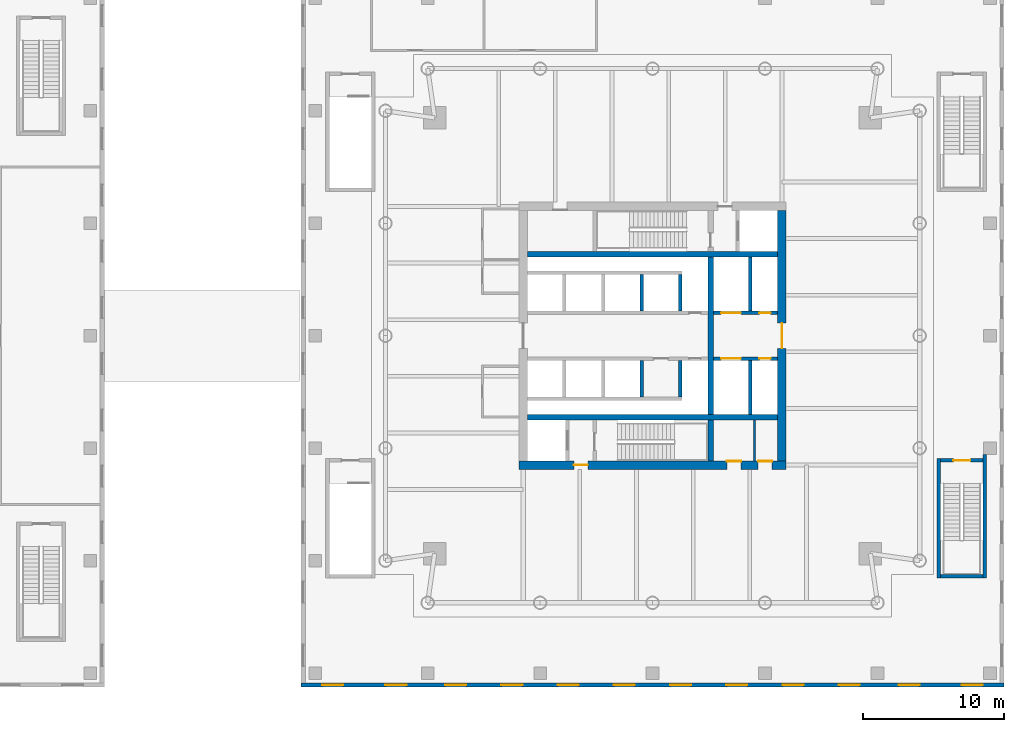
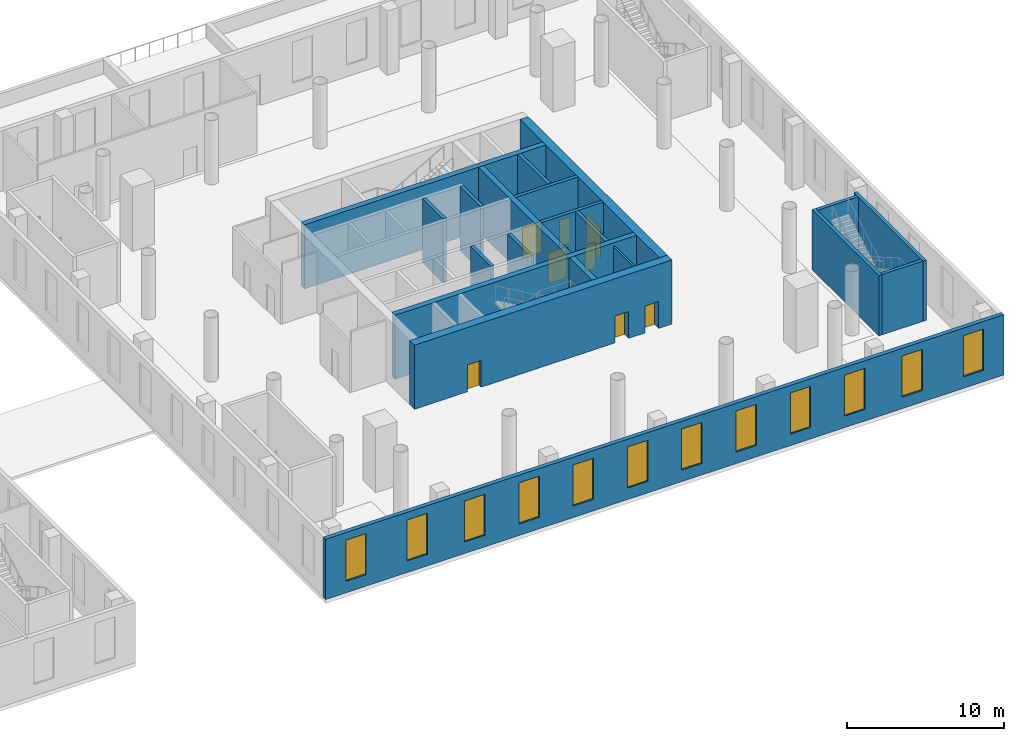
# One storey, part 11 of 16: 20 walls, 12 windows, 9 doors, 21 openings.
"""IFC4 building model written with IfcOpenShell, lengths in metres."""

from ifc_helpers import new_model, si_unit, direction, frame, frame_2d, origin, place, context, subcontext, project, spatial, rectangle, extrude, material, layer, layer_set, type_object, element, fill, save


model = new_model("IFC4")

# Units and contexts
model_context = context("Model", 3, precision=1e-05, world=origin(), true_north=direction((0.0, 1.0)))
body_context = subcontext(model_context, "Body", "Model", "MODEL_VIEW")
ifc_project = project(units=[si_unit("LENGTHUNIT", "METRE"), si_unit("AREAUNIT", "SQUARE_METRE"), si_unit("VOLUMEUNIT", "CUBIC_METRE"), si_unit("PLANEANGLEUNIT", "RADIAN"), si_unit("MASSUNIT", "GRAM", prefix="KILO")], contexts=[model_context])

# Site, building, storey
site_placement = place(None, origin())
site = spatial("IfcSite", under=ifc_project, at=site_placement, CompositionType="ELEMENT")
building_placement = place(site_placement, origin())
building = spatial("IfcBuilding", under=site, at=building_placement, Name="Ostroluk Exchange", CompositionType="ELEMENT")
storey_placement = place(building_placement, frame((0.0, 0.0, 16.0)))
storey = spatial("IfcBuildingStorey", under=building, at=storey_placement, Name="L03", CompositionType="ELEMENT", Elevation=16.0)

# Walls
ifc_material_1 = material(Name="Concrete blockwork", Category="masonry")
ifc_layer_1 = layer(ifc_material_1, 0.14990234375)
ifc_layer_set_1 = layer_set([ifc_layer_1], Name="Blockwork plant room wall 150")
wall_type_1 = type_object("IfcWallType", Name="Blockwork plant room wall 150", PredefinedType="SOLIDWALL", material=ifc_layer_set_1)
wall_1_placement = place(storey_placement, frame((124.2548828125, 37.10009765625, 0.0), z_axis=(0.0, 0.0, 1.0), x_axis=(0.0, 1.0, 0.0)))
element("IfcWall", 1, at=wall_1_placement, inside=storey, type_object=wall_type_1, Name="Core room wall", PredefinedType="SOLIDWALL", context=body_context, shape_type="SweptSolid", body=[
    extrude(rectangle(XDim=2.89990234375, YDim=0.14990234375, at=frame_2d((1.449951171875, 0.0))), origin(), (0.0, 0.0, 1.0), 4.699951171875),
])
ifc_material_2 = material(Name="Concrete blockwork", Category="masonry")
ifc_layer_2 = layer(ifc_material_2, 0.25)
ifc_layer_set_2 = layer_set([ifc_layer_2], Name="Blockwork stair enclosure wall 250")
wall_type_2 = type_object("IfcWallType", Name="Blockwork stair enclosure wall 250", PredefinedType="SOLIDWALL", material=ifc_layer_set_2)
wall_2_placement = place(storey_placement, frame((137.375, 28.75, 0.0), z_axis=(0.0, 0.0, 1.0), x_axis=(0.0, 1.0, 0.0)))
element("IfcWall", 2, at=wall_2_placement, inside=storey, type_object=wall_type_2, Name="Stair PS7 enclosure wall", PredefinedType="SOLIDWALL", context=body_context, shape_type="SweptSolid", body=[
    extrude(rectangle(XDim=8.5, YDim=0.25, at=frame_2d((4.25, 0.0))), origin(), (0.0, 0.0, 1.0), 4.699951171875),
])
wall_3_placement = place(storey_placement, frame((140.625, 28.75, 0.0), z_axis=(0.0, 0.0, 1.0), x_axis=(0.0, 1.0, 0.0)))
element("IfcWall", 3, at=wall_3_placement, inside=storey, type_object=wall_type_2, Name="Stair PS7 enclosure wall", PredefinedType="SOLIDWALL", context=body_context, shape_type="SweptSolid", body=[
    extrude(rectangle(XDim=8.800048828125, YDim=0.25, at=frame_2d((4.39990234375, 0.0))), origin(), (0.0, 0.0, 1.0), 4.699951171875),
])
wall_4_placement = place(storey_placement, frame((137.5, 28.875, 0.0), z_axis=(0.0, 0.0, 1.0), x_axis=(1.0, 0.0, 0.0)))
element("IfcWall", 4, at=wall_4_placement, inside=storey, type_object=wall_type_2, Name="Stair PS7 enclosure wall", PredefinedType="SOLIDWALL", context=body_context, shape_type="SweptSolid", body=[
    extrude(rectangle(XDim=3.0, YDim=0.25, at=frame_2d((1.5, 0.0))), origin(), (0.0, 0.0, 1.0), 4.699951171875),
])

# Wall, opening, door
wall_5_placement = place(storey_placement, frame((137.5, 37.125, 0.0), z_axis=(0.0, 0.0, 1.0), x_axis=(1.0, 0.0, 0.0)))
wall_5 = element("IfcWall", 5, at=wall_5_placement, inside=storey, type_object=wall_type_2, Name="Stair PS7 enclosure wall", PredefinedType="SOLIDWALL", context=body_context, shape_type="SweptSolid", body=[
    extrude(rectangle(XDim=3.0, YDim=0.25, at=frame_2d((1.5, 0.0))), origin(), (0.0, 0.0, 1.0), 4.699951171875),
])
opening_1_placement = place(wall_5_placement, frame((0.89990234375, 0.0, 0.0)))
opening_1 = element("IfcOpeningElement", 6, at=opening_1_placement, cuts=wall_5, Name="Opening FD60S", PredefinedType="OPENING", context=body_context, shape_type="SweptSolid", body=[
    extrude(rectangle(XDim=1.199951171875, YDim=2.10009765625, at=frame_2d((0.60009765625, 1.050048828125))), frame((0.0, 0.135009765625, 0.0), z_axis=(0.0, -1.0, 0.0), x_axis=(1.0, 0.0, 0.0)), (0.0, 0.0, 1.0), 0.27001953125),
])
ifc_material_3 = material(Name="Steel", Category="steel")
door_type_1 = type_object("IfcDoorType", Name="Stair door EI 60 1200 x 2100", OperationType="SINGLE_SWING_LEFT", PredefinedType="DOOR", material=ifc_material_3)
door_1_placement = place(opening_1_placement, origin())
door_1 = element("IfcDoor", 7, at=door_1_placement, inside=storey, type_object=door_type_1, Name="Stair PS7 door", OperationType="SINGLE_SWING_LEFT", OverallHeight=2.10009765625, OverallWidth=1.199951171875, PredefinedType="DOOR", context=body_context, shape_type="SweptSolid", body=[
    extrude(rectangle(XDim=1.199951171875, YDim=2.10009765625, at=frame_2d((0.60009765625, 1.050048828125))), frame((0.0, 0.02490234375, 0.0), z_axis=(0.0, -1.0, 0.0), x_axis=(1.0, 0.0, 0.0)), (0.0, 0.0, 1.0), 0.050048828125),
])
fill(opening_1, door_1)

# Walls
ifc_material_4 = material(Name="Concrete C50/60", Category="concrete")
ifc_layer_3 = layer(ifc_material_4, 0.39990234375)
ifc_layer_set_3 = layer_set([ifc_layer_3], Name="Core cross wall 400 C50/60")
wall_type_3 = type_object("IfcWallType", Name="Core cross wall 400 C50/60", PredefinedType="SHEAR", material=ifc_layer_set_3)
for number, where, z_axis, x_axis, name in (
    (8, (108.10009765625, 40.199951171875, 0.0), (0.0, 0.0, 1.0), (1.0, 0.0, 0.0), "T2 core wall XS"),
    (9, (108.10009765625, 51.800048828125, 0.0), (0.0, 0.0, 1.0), (1.0, 0.0, 0.0), "T2 core wall XN"),
):
    element("IfcWall", number, at=place(storey_placement, frame(where, z_axis=z_axis, x_axis=x_axis)), inside=storey, type_object=wall_type_3, Name=name, PredefinedType="SHEAR", context=body_context, shape_type="SweptSolid", body=[
        extrude(rectangle(XDim=17.7998046875, YDim=0.39990234375, at=frame_2d((8.89990234375, 0.0))), origin(), (0.0, 0.0, 1.0), 5.0),
    ])
wall_6_placement = place(storey_placement, frame((121.1298828125, 37.10009765625, 0.0), z_axis=(0.0, 0.0, 1.0), x_axis=(0.0, 1.0, 0.0)))
element("IfcWall", 10, at=wall_6_placement, inside=storey, type_object=wall_type_3, Name="T2 core wall YE1", PredefinedType="SHEAR", context=body_context, shape_type="SweptSolid", body=[
    extrude(rectangle(XDim=2.89990234375, YDim=0.39990234375, at=frame_2d((1.449951171875, 0.0))), origin(), (0.0, 0.0, 1.0), 5.0),
])
wall_7_placement = place(storey_placement, frame((121.1298828125, 40.39990234375, 0.0), z_axis=(0.0, 0.0, 1.0), x_axis=(0.0, 1.0, 0.0)))
element("IfcWall", 11, at=wall_7_placement, inside=storey, type_object=wall_type_3, Name="T2 core wall YE2", PredefinedType="SHEAR", context=body_context, shape_type="SweptSolid", body=[
    extrude(rectangle(XDim=11.2001953125, YDim=0.39990234375, at=frame_2d((5.60009765625, 0.0))), origin(), (0.0, 0.0, 1.0), 5.0),
])
ifc_material_5 = material(Name="Concrete C40/50", Category="concrete")
ifc_layer_4 = layer(ifc_material_5, 0.25)
ifc_layer_set_4 = layer_set([ifc_layer_4], Name="Core shaft wall 250")
wall_type_4 = type_object("IfcWallType", Name="Core shaft wall 250", PredefinedType="SHEAR", material=ifc_layer_set_4)
for number, where, z_axis, x_axis, name in (
    (12, (116.22509765625, 47.75, 0.0), (0.0, 0.0, 1.0), (0.0, 1.0, 0.0), "Lift shaft wall"),
    (13, (118.97509765625, 47.75, 0.0), (0.0, 0.0, 1.0), (0.0, 1.0, 0.0), "Lift shaft wall"),
    (14, (116.22509765625, 44.25, 0.0), (0.0, 0.0, 1.0), (0.0, -1.0, 0.0), "Lift shaft wall"),
    (15, (118.97509765625, 44.25, 0.0), (0.0, 0.0, 1.0), (0.0, -1.0, 0.0), "Lift shaft wall"),
):
    element("IfcWall", number, at=place(storey_placement, frame(where, z_axis=z_axis, x_axis=x_axis)), inside=storey, type_object=wall_type_4, Name=name, PredefinedType="SHEAR", context=body_context, shape_type="SweptSolid", body=[
        extrude(rectangle(XDim=2.60009765625, YDim=0.25, at=frame_2d((1.300048828125, 0.0))), origin(), (0.0, 0.0, 1.0), 5.0),
    ])
wall_8_placement = place(storey_placement, frame((123.955078125, 47.75, 0.0), z_axis=(0.0, 0.0, 1.0), x_axis=(0.0, 1.0, 0.0)))
element("IfcWall", 16, at=wall_8_placement, inside=storey, type_object=wall_type_4, Name="Lift shaft wall", PredefinedType="SHEAR", context=body_context, shape_type="SweptSolid", body=[
    extrude(rectangle(XDim=3.85009765625, YDim=0.25, at=frame_2d((1.925048828125, 0.0))), origin(), (0.0, 0.0, 1.0), 5.0),
])

# Wall, openings, doors
wall_9_placement = place(storey_placement, frame((121.330078125, 47.625, 0.0), z_axis=(0.0, 0.0, 1.0), x_axis=(1.0, 0.0, 0.0)))
wall_9 = element("IfcWall", 17, at=wall_9_placement, inside=storey, type_object=wall_type_4, Name="Lift shaft front wall", PredefinedType="SHEAR", context=body_context, shape_type="SweptSolid", body=[
    extrude(rectangle(XDim=4.56982421875, YDim=0.25, at=frame_2d((2.284912109375, 0.0))), origin(), (0.0, 0.0, 1.0), 5.0),
])
opening_2_placement = place(wall_9_placement, frame((0.550048828125, 0.0, 0.0)))
opening_2 = element("IfcOpeningElement", 18, at=opening_2_placement, cuts=wall_9, Name="Opening LD3", PredefinedType="OPENING", context=body_context, shape_type="SweptSolid", body=[
    extrude(rectangle(XDim=1.39990234375, YDim=2.39990234375, at=frame_2d((0.699951171875, 1.199951171875))), frame((0.0, 0.135009765625, 0.0), z_axis=(0.0, -1.0, 0.0), x_axis=(1.0, 0.0, 0.0)), (0.0, 0.0, 1.0), 0.27001953125),
])
opening_3_placement = place(wall_9_placement, frame((3.260009765625, 0.0, 0.0)))
opening_3 = element("IfcOpeningElement", 19, at=opening_3_placement, cuts=wall_9, Name="Opening RD60", PredefinedType="OPENING", context=body_context, shape_type="SweptSolid", body=[
    extrude(rectangle(XDim=0.800048828125, YDim=2.0, at=frame_2d((0.39990234375, 1.0))), frame((0.0, 0.135009765625, 0.0), z_axis=(0.0, -1.0, 0.0), x_axis=(1.0, 0.0, 0.0)), (0.0, 0.0, 1.0), 0.27001953125),
])
ifc_material_6 = material(Name="Stainless steel", Category="steel")
door_type_2 = type_object("IfcDoorType", Name="Goods lift landing door E 60 1400 x 2400", OperationType="DOUBLE_DOOR_SLIDING", PredefinedType="DOOR", material=ifc_material_6)
door_2_placement = place(opening_2_placement, origin())
door_2 = element("IfcDoor", 20, at=door_2_placement, inside=storey, type_object=door_type_2, Name="Lift HS1 landing door", OperationType="DOUBLE_DOOR_SLIDING", OverallHeight=2.39990234375, OverallWidth=1.39990234375, PredefinedType="DOOR", context=body_context, shape_type="SweptSolid", body=[
    extrude(rectangle(XDim=1.39990234375, YDim=2.39990234375, at=frame_2d((0.699951171875, 1.199951171875))), frame((0.0, 0.02490234375, 0.0), z_axis=(0.0, -1.0, 0.0), x_axis=(1.0, 0.0, 0.0)), (0.0, 0.0, 1.0), 0.050048828125),
])
fill(opening_2, door_2)
ifc_material_7 = material(Name="Steel", Category="steel")
door_type_3 = type_object("IfcDoorType", Name="Riser access door EI 60 800 x 2000", OperationType="SINGLE_SWING_LEFT", PredefinedType="DOOR", material=ifc_material_7)
door_3_placement = place(opening_3_placement, origin())
door_3 = element("IfcDoor", 21, at=door_3_placement, inside=storey, type_object=door_type_3, Name="Riser access door", OperationType="SINGLE_SWING_RIGHT", OverallHeight=2.0, OverallWidth=0.800048828125, PredefinedType="DOOR", context=body_context, shape_type="SweptSolid", body=[
    extrude(rectangle(XDim=0.800048828125, YDim=2.0, at=frame_2d((0.39990234375, 1.0))), frame((0.0, 0.02490234375, 0.0), z_axis=(0.0, -1.0, 0.0), x_axis=(1.0, 0.0, 0.0)), (0.0, 0.0, 1.0), 0.050048828125),
])
fill(opening_3, door_3)

# Wall
wall_10_placement = place(storey_placement, frame((123.955078125, 44.25, 0.0), z_axis=(0.0, 0.0, 1.0), x_axis=(0.0, -1.0, 0.0)))
element("IfcWall", 22, at=wall_10_placement, inside=storey, type_object=wall_type_4, Name="Lift shaft wall", PredefinedType="SHEAR", context=body_context, shape_type="SweptSolid", body=[
    extrude(rectangle(XDim=3.85009765625, YDim=0.25, at=frame_2d((1.925048828125, 0.0))), origin(), (0.0, 0.0, 1.0), 5.0),
])

# Wall, openings, doors
wall_11_placement = place(storey_placement, frame((121.330078125, 44.375, 0.0), z_axis=(0.0, 0.0, 1.0), x_axis=(1.0, 0.0, 0.0)))
wall_11 = element("IfcWall", 23, at=wall_11_placement, inside=storey, type_object=wall_type_4, Name="Lift shaft front wall", PredefinedType="SHEAR", context=body_context, shape_type="SweptSolid", body=[
    extrude(rectangle(XDim=4.56982421875, YDim=0.25, at=frame_2d((2.284912109375, 0.0))), origin(), (0.0, 0.0, 1.0), 5.0),
])
opening_4_placement = place(wall_11_placement, frame((0.550048828125, 0.0, 0.0)))
opening_4 = element("IfcOpeningElement", 24, at=opening_4_placement, cuts=wall_11, Name="Opening LD3", PredefinedType="OPENING", context=body_context, shape_type="SweptSolid", body=[
    extrude(rectangle(XDim=1.39990234375, YDim=2.39990234375, at=frame_2d((0.699951171875, 1.199951171875))), frame((0.0, 0.135009765625, 0.0), z_axis=(0.0, -1.0, 0.0), x_axis=(1.0, 0.0, 0.0)), (0.0, 0.0, 1.0), 0.27001953125),
])
opening_5_placement = place(wall_11_placement, frame((3.260009765625, 0.0, 0.0)))
opening_5 = element("IfcOpeningElement", 25, at=opening_5_placement, cuts=wall_11, Name="Opening RD60", PredefinedType="OPENING", context=body_context, shape_type="SweptSolid", body=[
    extrude(rectangle(XDim=0.800048828125, YDim=2.0, at=frame_2d((0.39990234375, 1.0))), frame((0.0, 0.135009765625, 0.0), z_axis=(0.0, -1.0, 0.0), x_axis=(1.0, 0.0, 0.0)), (0.0, 0.0, 1.0), 0.27001953125),
])
door_4_placement = place(opening_4_placement, origin())
door_4 = element("IfcDoor", 26, at=door_4_placement, inside=storey, type_object=door_type_2, Name="Lift HS2 landing door", OperationType="DOUBLE_DOOR_SLIDING", OverallHeight=2.39990234375, OverallWidth=1.39990234375, PredefinedType="DOOR", context=body_context, shape_type="SweptSolid", body=[
    extrude(rectangle(XDim=1.39990234375, YDim=2.39990234375, at=frame_2d((0.699951171875, 1.199951171875))), frame((0.0, 0.02490234375, 0.0), z_axis=(0.0, -1.0, 0.0), x_axis=(1.0, 0.0, 0.0)), (0.0, 0.0, 1.0), 0.050048828125),
])
fill(opening_4, door_4)
door_5_placement = place(opening_5_placement, origin())
door_5 = element("IfcDoor", 27, at=door_5_placement, inside=storey, type_object=door_type_3, Name="Riser access door", OperationType="SINGLE_SWING_RIGHT", OverallHeight=2.0, OverallWidth=0.800048828125, PredefinedType="DOOR", context=body_context, shape_type="SweptSolid", body=[
    extrude(rectangle(XDim=0.800048828125, YDim=2.0, at=frame_2d((0.39990234375, 1.0))), frame((0.0, 0.02490234375, 0.0), z_axis=(0.0, -1.0, 0.0), x_axis=(1.0, 0.0, 0.0)), (0.0, 0.0, 1.0), 0.050048828125),
])
fill(opening_5, door_5)

ifc_material_8 = material(Name="Concrete C50/60", Category="concrete")
ifc_layer_5 = layer(ifc_material_8, 0.60009765625)
ifc_layer_set_5 = layer_set([ifc_layer_5], Name="Core wall 600 C50/60")
wall_type_5 = type_object("IfcWallType", Name="Core wall 600 C50/60", PredefinedType="SHEAR", material=ifc_layer_set_5)
wall_12_placement = place(storey_placement, frame((107.5, 36.800048828125, 0.0), z_axis=(0.0, 0.0, 1.0), x_axis=(1.0, 0.0, 0.0)))
wall_12 = element("IfcWall", 28, at=wall_12_placement, inside=storey, type_object=wall_type_5, Name="T2 core wall S", PredefinedType="SHEAR", context=body_context, shape_type="SweptSolid", body=[
    extrude(rectangle(XDim=19.0, YDim=0.60009765625, at=frame_2d((9.5, 0.0))), origin(), (0.0, 0.0, 1.0), 5.0),
])
opening_6_placement = place(wall_12_placement, frame((3.89990234375, 0.0, 0.0)))
opening_6 = element("IfcOpeningElement", 29, at=opening_6_placement, cuts=wall_12, Name="Opening FD60", PredefinedType="OPENING", context=body_context, shape_type="SweptSolid", body=[
    extrude(rectangle(XDim=1.0, YDim=2.10009765625, at=frame_2d((0.5, 1.050048828125))), frame((0.0, 0.31005859375, 0.0), z_axis=(0.0, -1.0, 0.0), x_axis=(1.0, 0.0, 0.0)), (0.0, 0.0, 1.0), 0.6201171875),
])
opening_7_placement = place(wall_12_placement, frame((14.79248046875, 0.0, 0.0)))
opening_7 = element("IfcOpeningElement", 30, at=opening_7_placement, cuts=wall_12, Name="Opening FD60", PredefinedType="OPENING", context=body_context, shape_type="SweptSolid", body=[
    extrude(rectangle(XDim=1.0, YDim=2.10009765625, at=frame_2d((0.5, 1.050048828125))), frame((0.0, 0.31005859375, 0.0), z_axis=(0.0, -1.0, 0.0), x_axis=(1.0, 0.0, 0.0)), (0.0, 0.0, 1.0), 0.6201171875),
])
opening_8_placement = place(wall_12_placement, frame((17.0048828125, 0.0, 0.0)))
opening_8 = element("IfcOpeningElement", 31, at=opening_8_placement, cuts=wall_12, Name="Opening FD60", PredefinedType="OPENING", context=body_context, shape_type="SweptSolid", body=[
    extrude(rectangle(XDim=1.0, YDim=2.10009765625, at=frame_2d((0.5, 1.050048828125))), frame((0.0, 0.31005859375, 0.0), z_axis=(0.0, -1.0, 0.0), x_axis=(1.0, 0.0, 0.0)), (0.0, 0.0, 1.0), 0.6201171875),
])
ifc_material_9 = material(Name="Steel", Category="steel")
door_type_4 = type_object("IfcDoorType", Name="Fire door EI 60 1000 x 2100", OperationType="SINGLE_SWING_LEFT", PredefinedType="DOOR", material=ifc_material_9)
door_6_placement = place(opening_6_placement, origin())
door_6 = element("IfcDoor", 32, at=door_6_placement, inside=storey, type_object=door_type_4, Name="Firefighting lobby door", OperationType="SINGLE_SWING_LEFT", OverallHeight=2.10009765625, OverallWidth=1.0, PredefinedType="DOOR", context=body_context, shape_type="SweptSolid", body=[
    extrude(rectangle(XDim=1.0, YDim=2.10009765625, at=frame_2d((0.5, 1.050048828125))), frame((0.0, 0.02490234375, 0.0), z_axis=(0.0, -1.0, 0.0), x_axis=(1.0, 0.0, 0.0)), (0.0, 0.0, 1.0), 0.050048828125),
])
fill(opening_6, door_6)
door_7_placement = place(opening_7_placement, origin())
door_7 = element("IfcDoor", 33, at=door_7_placement, inside=storey, type_object=door_type_4, Name="Store door", OperationType="SINGLE_SWING_RIGHT", OverallHeight=2.10009765625, OverallWidth=1.0, PredefinedType="DOOR", context=body_context, shape_type="SweptSolid", body=[
    extrude(rectangle(XDim=1.0, YDim=2.10009765625, at=frame_2d((0.5, 1.050048828125))), frame((0.0, 0.2900390625, 0.0), z_axis=(0.0, -1.0, 0.0), x_axis=(1.0, 0.0, 0.0)), (0.0, 0.0, 1.0), 0.050048828125),
])
fill(opening_7, door_7)
door_8_placement = place(opening_8_placement, origin())
door_8 = element("IfcDoor", 34, at=door_8_placement, inside=storey, type_object=door_type_4, Name="Cleaner's store door", OperationType="SINGLE_SWING_RIGHT", OverallHeight=2.10009765625, OverallWidth=1.0, PredefinedType="DOOR", context=body_context, shape_type="SweptSolid", body=[
    extrude(rectangle(XDim=1.0, YDim=2.10009765625, at=frame_2d((0.5, 1.050048828125))), frame((0.0, 0.2900390625, 0.0), z_axis=(0.0, -1.0, 0.0), x_axis=(1.0, 0.0, 0.0)), (0.0, 0.0, 1.0), 0.050048828125),
])
fill(opening_8, door_8)

# Wall, opening, door
wall_13_placement = place(storey_placement, frame((126.199951171875, 37.10009765625, 0.0), z_axis=(0.0, 0.0, 1.0), x_axis=(0.0, 1.0, 0.0)))
wall_13 = element("IfcWall", 35, at=wall_13_placement, inside=storey, type_object=wall_type_5, Name="T2 core wall E", PredefinedType="SHEAR", context=body_context, shape_type="SweptSolid", body=[
    extrude(rectangle(XDim=17.7998046875, YDim=0.60009765625, at=frame_2d((8.89990234375, 0.0))), origin(), (0.0, 0.0, 1.0), 5.0),
])
opening_9_placement = place(wall_13_placement, frame((8.0, 0.0, 0.0)))
opening_9 = element("IfcOpeningElement", 36, at=opening_9_placement, cuts=wall_13, Name="Opening FD30D", PredefinedType="OPENING", context=body_context, shape_type="SweptSolid", body=[
    extrude(rectangle(XDim=1.800048828125, YDim=2.39990234375, at=frame_2d((0.89990234375, 1.199951171875))), frame((0.0, 0.31005859375, 0.0), z_axis=(0.0, -1.0, 0.0), x_axis=(1.0, 0.0, 0.0)), (0.0, 0.0, 1.0), 0.6201171875),
])
ifc_material_10 = material(Name="Timber", Category="wood")
door_type_5 = type_object("IfcDoorType", Name="Lobby double door EI 30 1800 x 2400", OperationType="DOUBLE_DOOR_SINGLE_SWING", PredefinedType="DOOR", material=ifc_material_10)
door_9_placement = place(opening_9_placement, origin())
door_9 = element("IfcDoor", 37, at=door_9_placement, inside=storey, type_object=door_type_5, Name="Lift lobby doors", OperationType="DOUBLE_DOOR_SINGLE_SWING", OverallHeight=2.39990234375, OverallWidth=1.800048828125, PredefinedType="DOOR", context=body_context, shape_type="SweptSolid", body=[
    extrude(rectangle(XDim=1.800048828125, YDim=2.39990234375, at=frame_2d((0.89990234375, 1.199951171875))), frame((0.0, 0.02490234375, 0.0), z_axis=(0.0, -1.0, 0.0), x_axis=(1.0, 0.0, 0.0)), (0.0, 0.0, 1.0), 0.050048828125),
])
fill(opening_9, door_9)

# Wall, openings, windows
ifc_material_11 = material(Name="Limestone", Category="masonry")
ifc_layer_6 = layer(ifc_material_11, 0.300048828125)
ifc_layer_set_6 = layer_set([ifc_layer_6], Name="Limestone facade wall 300")
wall_type_6 = type_object("IfcWallType", Name="Limestone facade wall 300", PredefinedType="SOLIDWALL", material=ifc_layer_set_6)
wall_14_placement = place(storey_placement, frame((92.0, 21.14990234375, 0.0), z_axis=(0.0, 0.0, 1.0), x_axis=(1.0, 0.0, 0.0)))
wall_14 = element("IfcWall", 38, at=wall_14_placement, inside=storey, type_object=wall_type_6, Name="Podium east S wall L03 1a", PredefinedType="SOLIDWALL", context=body_context, shape_type="SweptSolid", body=[
    extrude(rectangle(XDim=50.0, YDim=0.300048828125, at=frame_2d((25.0, 0.0))), origin(), (0.0, 0.0, 1.0), 4.699951171875),
])
opening_10_placement = place(wall_14_placement, frame((1.5, 0.0, 0.89990234375)))
opening_10 = element("IfcOpeningElement", 39, at=opening_10_placement, cuts=wall_14, Name="Opening WN-L2", PredefinedType="OPENING", context=body_context, shape_type="SweptSolid", body=[
    extrude(rectangle(XDim=1.5, YDim=3.199951171875, at=frame_2d((0.75, 1.60009765625))), frame((0.0, 0.159912109375, 0.0), z_axis=(0.0, -1.0, 0.0), x_axis=(1.0, 0.0, 0.0)), (0.0, 0.0, 1.0), 0.320068359375),
])
opening_11_placement = place(wall_14_placement, frame((6.0, 0.0, 0.89990234375)))
opening_11 = element("IfcOpeningElement", 40, at=opening_11_placement, cuts=wall_14, Name="Opening WN-L2", PredefinedType="OPENING", context=body_context, shape_type="SweptSolid", body=[
    extrude(rectangle(XDim=1.5, YDim=3.199951171875, at=frame_2d((0.75, 1.60009765625))), frame((0.0, 0.159912109375, 0.0), z_axis=(0.0, -1.0, 0.0), x_axis=(1.0, 0.0, 0.0)), (0.0, 0.0, 1.0), 0.320068359375),
])
opening_12_placement = place(wall_14_placement, frame((10.25, 0.0, 0.89990234375)))
opening_12 = element("IfcOpeningElement", 41, at=opening_12_placement, cuts=wall_14, Name="Opening WN-L2", PredefinedType="OPENING", context=body_context, shape_type="SweptSolid", body=[
    extrude(rectangle(XDim=1.5, YDim=3.199951171875, at=frame_2d((0.75, 1.60009765625))), frame((0.0, 0.159912109375, 0.0), z_axis=(0.0, -1.0, 0.0), x_axis=(1.0, 0.0, 0.0)), (0.0, 0.0, 1.0), 0.320068359375),
])
opening_13_placement = place(wall_14_placement, frame((14.25, 0.0, 0.89990234375)))
opening_13 = element("IfcOpeningElement", 42, at=opening_13_placement, cuts=wall_14, Name="Opening WN-L2", PredefinedType="OPENING", context=body_context, shape_type="SweptSolid", body=[
    extrude(rectangle(XDim=1.5, YDim=3.199951171875, at=frame_2d((0.75, 1.60009765625))), frame((0.0, 0.159912109375, 0.0), z_axis=(0.0, -1.0, 0.0), x_axis=(1.0, 0.0, 0.0)), (0.0, 0.0, 1.0), 0.320068359375),
])
opening_14_placement = place(wall_14_placement, frame((18.25, 0.0, 0.89990234375)))
opening_14 = element("IfcOpeningElement", 43, at=opening_14_placement, cuts=wall_14, Name="Opening WN-L2", PredefinedType="OPENING", context=body_context, shape_type="SweptSolid", body=[
    extrude(rectangle(XDim=1.5, YDim=3.199951171875, at=frame_2d((0.75, 1.60009765625))), frame((0.0, 0.159912109375, 0.0), z_axis=(0.0, -1.0, 0.0), x_axis=(1.0, 0.0, 0.0)), (0.0, 0.0, 1.0), 0.320068359375),
])
opening_15_placement = place(wall_14_placement, frame((22.25, 0.0, 0.89990234375)))
opening_15 = element("IfcOpeningElement", 44, at=opening_15_placement, cuts=wall_14, Name="Opening WN-L2", PredefinedType="OPENING", context=body_context, shape_type="SweptSolid", body=[
    extrude(rectangle(XDim=1.5, YDim=3.199951171875, at=frame_2d((0.75, 1.60009765625))), frame((0.0, 0.159912109375, 0.0), z_axis=(0.0, -1.0, 0.0), x_axis=(1.0, 0.0, 0.0)), (0.0, 0.0, 1.0), 0.320068359375),
])
opening_16_placement = place(wall_14_placement, frame((26.25, 0.0, 0.89990234375)))
opening_16 = element("IfcOpeningElement", 45, at=opening_16_placement, cuts=wall_14, Name="Opening WN-L2", PredefinedType="OPENING", context=body_context, shape_type="SweptSolid", body=[
    extrude(rectangle(XDim=1.5, YDim=3.199951171875, at=frame_2d((0.75, 1.60009765625))), frame((0.0, 0.159912109375, 0.0), z_axis=(0.0, -1.0, 0.0), x_axis=(1.0, 0.0, 0.0)), (0.0, 0.0, 1.0), 0.320068359375),
])
opening_17_placement = place(wall_14_placement, frame((30.25, 0.0, 0.89990234375)))
opening_17 = element("IfcOpeningElement", 46, at=opening_17_placement, cuts=wall_14, Name="Opening WN-L2", PredefinedType="OPENING", context=body_context, shape_type="SweptSolid", body=[
    extrude(rectangle(XDim=1.5, YDim=3.199951171875, at=frame_2d((0.75, 1.60009765625))), frame((0.0, 0.159912109375, 0.0), z_axis=(0.0, -1.0, 0.0), x_axis=(1.0, 0.0, 0.0)), (0.0, 0.0, 1.0), 0.320068359375),
])
opening_18_placement = place(wall_14_placement, frame((34.25, 0.0, 0.89990234375)))
opening_18 = element("IfcOpeningElement", 47, at=opening_18_placement, cuts=wall_14, Name="Opening WN-L2", PredefinedType="OPENING", context=body_context, shape_type="SweptSolid", body=[
    extrude(rectangle(XDim=1.5, YDim=3.199951171875, at=frame_2d((0.75, 1.60009765625))), frame((0.0, 0.159912109375, 0.0), z_axis=(0.0, -1.0, 0.0), x_axis=(1.0, 0.0, 0.0)), (0.0, 0.0, 1.0), 0.320068359375),
])
opening_19_placement = place(wall_14_placement, frame((38.25, 0.0, 0.89990234375)))
opening_19 = element("IfcOpeningElement", 48, at=opening_19_placement, cuts=wall_14, Name="Opening WN-L2", PredefinedType="OPENING", context=body_context, shape_type="SweptSolid", body=[
    extrude(rectangle(XDim=1.5, YDim=3.199951171875, at=frame_2d((0.75, 1.60009765625))), frame((0.0, 0.159912109375, 0.0), z_axis=(0.0, -1.0, 0.0), x_axis=(1.0, 0.0, 0.0)), (0.0, 0.0, 1.0), 0.320068359375),
])
opening_20_placement = place(wall_14_placement, frame((42.5, 0.0, 0.89990234375)))
opening_20 = element("IfcOpeningElement", 49, at=opening_20_placement, cuts=wall_14, Name="Opening WN-L2", PredefinedType="OPENING", context=body_context, shape_type="SweptSolid", body=[
    extrude(rectangle(XDim=1.5, YDim=3.199951171875, at=frame_2d((0.75, 1.60009765625))), frame((0.0, 0.159912109375, 0.0), z_axis=(0.0, -1.0, 0.0), x_axis=(1.0, 0.0, 0.0)), (0.0, 0.0, 1.0), 0.320068359375),
])
opening_21_placement = place(wall_14_placement, frame((47.0, 0.0, 0.89990234375)))
opening_21 = element("IfcOpeningElement", 50, at=opening_21_placement, cuts=wall_14, Name="Opening WN-L2", PredefinedType="OPENING", context=body_context, shape_type="SweptSolid", body=[
    extrude(rectangle(XDim=1.5, YDim=3.199951171875, at=frame_2d((0.75, 1.60009765625))), frame((0.0, 0.159912109375, 0.0), z_axis=(0.0, -1.0, 0.0), x_axis=(1.0, 0.0, 0.0)), (0.0, 0.0, 1.0), 0.320068359375),
])
ifc_material_12 = material(Name="Laminated clear glass", Category="glass")
window_type = type_object("IfcWindowType", Name="Podium lancet window 1500 x 3200", PartitioningType="DOUBLE_PANEL_VERTICAL", PredefinedType="WINDOW", material=ifc_material_12)
window_1_placement = place(opening_10_placement, origin())
window_1 = element("IfcWindow", 51, at=window_1_placement, inside=storey, type_object=window_type, Name="Podium east lancet window S L03 1.1", OverallHeight=3.199951171875, OverallWidth=1.5, PartitioningType="SINGLE_PANEL", PredefinedType="WINDOW", context=body_context, shape_type="SweptSolid", body=[
    extrude(rectangle(XDim=1.5, YDim=3.199951171875, at=frame_2d((0.75, 1.60009765625))), frame((0.0, 0.030029296875, 0.0), z_axis=(0.0, -1.0, 0.0), x_axis=(1.0, 0.0, 0.0)), (0.0, 0.0, 1.0), 0.06005859375),
])
fill(opening_10, window_1)
window_2_placement = place(opening_11_placement, origin())
window_2 = element("IfcWindow", 52, at=window_2_placement, inside=storey, type_object=window_type, Name="Podium east lancet window S L03 1.2", OverallHeight=3.199951171875, OverallWidth=1.5, PartitioningType="SINGLE_PANEL", PredefinedType="WINDOW", context=body_context, shape_type="SweptSolid", body=[
    extrude(rectangle(XDim=1.5, YDim=3.199951171875, at=frame_2d((0.75, 1.60009765625))), frame((0.0, 0.030029296875, 0.0), z_axis=(0.0, -1.0, 0.0), x_axis=(1.0, 0.0, 0.0)), (0.0, 0.0, 1.0), 0.06005859375),
])
fill(opening_11, window_2)
window_3_placement = place(opening_12_placement, origin())
window_3 = element("IfcWindow", 53, at=window_3_placement, inside=storey, type_object=window_type, Name="Podium east lancet window S L03 2.1", OverallHeight=3.199951171875, OverallWidth=1.5, PartitioningType="SINGLE_PANEL", PredefinedType="WINDOW", context=body_context, shape_type="SweptSolid", body=[
    extrude(rectangle(XDim=1.5, YDim=3.199951171875, at=frame_2d((0.75, 1.60009765625))), frame((0.0, 0.030029296875, 0.0), z_axis=(0.0, -1.0, 0.0), x_axis=(1.0, 0.0, 0.0)), (0.0, 0.0, 1.0), 0.06005859375),
])
fill(opening_12, window_3)
window_4_placement = place(opening_13_placement, origin())
window_4 = element("IfcWindow", 54, at=window_4_placement, inside=storey, type_object=window_type, Name="Podium east lancet window S L03 2.2", OverallHeight=3.199951171875, OverallWidth=1.5, PartitioningType="SINGLE_PANEL", PredefinedType="WINDOW", context=body_context, shape_type="SweptSolid", body=[
    extrude(rectangle(XDim=1.5, YDim=3.199951171875, at=frame_2d((0.75, 1.60009765625))), frame((0.0, 0.030029296875, 0.0), z_axis=(0.0, -1.0, 0.0), x_axis=(1.0, 0.0, 0.0)), (0.0, 0.0, 1.0), 0.06005859375),
])
fill(opening_13, window_4)
window_5_placement = place(opening_14_placement, origin())
window_5 = element("IfcWindow", 55, at=window_5_placement, inside=storey, type_object=window_type, Name="Podium east lancet window S L03 3.1", OverallHeight=3.199951171875, OverallWidth=1.5, PartitioningType="SINGLE_PANEL", PredefinedType="WINDOW", context=body_context, shape_type="SweptSolid", body=[
    extrude(rectangle(XDim=1.5, YDim=3.199951171875, at=frame_2d((0.75, 1.60009765625))), frame((0.0, 0.030029296875, 0.0), z_axis=(0.0, -1.0, 0.0), x_axis=(1.0, 0.0, 0.0)), (0.0, 0.0, 1.0), 0.06005859375),
])
fill(opening_14, window_5)
window_6_placement = place(opening_15_placement, origin())
window_6 = element("IfcWindow", 56, at=window_6_placement, inside=storey, type_object=window_type, Name="Podium east lancet window S L03 3.2", OverallHeight=3.199951171875, OverallWidth=1.5, PartitioningType="SINGLE_PANEL", PredefinedType="WINDOW", context=body_context, shape_type="SweptSolid", body=[
    extrude(rectangle(XDim=1.5, YDim=3.199951171875, at=frame_2d((0.75, 1.60009765625))), frame((0.0, 0.030029296875, 0.0), z_axis=(0.0, -1.0, 0.0), x_axis=(1.0, 0.0, 0.0)), (0.0, 0.0, 1.0), 0.06005859375),
])
fill(opening_15, window_6)
window_7_placement = place(opening_16_placement, origin())
window_7 = element("IfcWindow", 57, at=window_7_placement, inside=storey, type_object=window_type, Name="Podium east lancet window S L03 4.1", OverallHeight=3.199951171875, OverallWidth=1.5, PartitioningType="SINGLE_PANEL", PredefinedType="WINDOW", context=body_context, shape_type="SweptSolid", body=[
    extrude(rectangle(XDim=1.5, YDim=3.199951171875, at=frame_2d((0.75, 1.60009765625))), frame((0.0, 0.030029296875, 0.0), z_axis=(0.0, -1.0, 0.0), x_axis=(1.0, 0.0, 0.0)), (0.0, 0.0, 1.0), 0.06005859375),
])
fill(opening_16, window_7)
window_8_placement = place(opening_17_placement, origin())
window_8 = element("IfcWindow", 58, at=window_8_placement, inside=storey, type_object=window_type, Name="Podium east lancet window S L03 4.2", OverallHeight=3.199951171875, OverallWidth=1.5, PartitioningType="SINGLE_PANEL", PredefinedType="WINDOW", context=body_context, shape_type="SweptSolid", body=[
    extrude(rectangle(XDim=1.5, YDim=3.199951171875, at=frame_2d((0.75, 1.60009765625))), frame((0.0, 0.030029296875, 0.0), z_axis=(0.0, -1.0, 0.0), x_axis=(1.0, 0.0, 0.0)), (0.0, 0.0, 1.0), 0.06005859375),
])
fill(opening_17, window_8)
window_9_placement = place(opening_18_placement, origin())
window_9 = element("IfcWindow", 59, at=window_9_placement, inside=storey, type_object=window_type, Name="Podium east lancet window S L03 5.1", OverallHeight=3.199951171875, OverallWidth=1.5, PartitioningType="SINGLE_PANEL", PredefinedType="WINDOW", context=body_context, shape_type="SweptSolid", body=[
    extrude(rectangle(XDim=1.5, YDim=3.199951171875, at=frame_2d((0.75, 1.60009765625))), frame((0.0, 0.030029296875, 0.0), z_axis=(0.0, -1.0, 0.0), x_axis=(1.0, 0.0, 0.0)), (0.0, 0.0, 1.0), 0.06005859375),
])
fill(opening_18, window_9)
window_10_placement = place(opening_19_placement, origin())
window_10 = element("IfcWindow", 60, at=window_10_placement, inside=storey, type_object=window_type, Name="Podium east lancet window S L03 5.2", OverallHeight=3.199951171875, OverallWidth=1.5, PartitioningType="SINGLE_PANEL", PredefinedType="WINDOW", context=body_context, shape_type="SweptSolid", body=[
    extrude(rectangle(XDim=1.5, YDim=3.199951171875, at=frame_2d((0.75, 1.60009765625))), frame((0.0, 0.030029296875, 0.0), z_axis=(0.0, -1.0, 0.0), x_axis=(1.0, 0.0, 0.0)), (0.0, 0.0, 1.0), 0.06005859375),
])
fill(opening_19, window_10)
window_11_placement = place(opening_20_placement, origin())
window_11 = element("IfcWindow", 61, at=window_11_placement, inside=storey, type_object=window_type, Name="Podium east lancet window S L03 6.1", OverallHeight=3.199951171875, OverallWidth=1.5, PartitioningType="SINGLE_PANEL", PredefinedType="WINDOW", context=body_context, shape_type="SweptSolid", body=[
    extrude(rectangle(XDim=1.5, YDim=3.199951171875, at=frame_2d((0.75, 1.60009765625))), frame((0.0, 0.030029296875, 0.0), z_axis=(0.0, -1.0, 0.0), x_axis=(1.0, 0.0, 0.0)), (0.0, 0.0, 1.0), 0.06005859375),
])
fill(opening_20, window_11)
window_12_placement = place(opening_21_placement, origin())
window_12 = element("IfcWindow", 62, at=window_12_placement, inside=storey, type_object=window_type, Name="Podium east lancet window S L03 6.2", OverallHeight=3.199951171875, OverallWidth=1.5, PartitioningType="SINGLE_PANEL", PredefinedType="WINDOW", context=body_context, shape_type="SweptSolid", body=[
    extrude(rectangle(XDim=1.5, YDim=3.199951171875, at=frame_2d((0.75, 1.60009765625))), frame((0.0, 0.030029296875, 0.0), z_axis=(0.0, -1.0, 0.0), x_axis=(1.0, 0.0, 0.0)), (0.0, 0.0, 1.0), 0.06005859375),
])
fill(opening_21, window_12)

save(model, "model.ifc")
